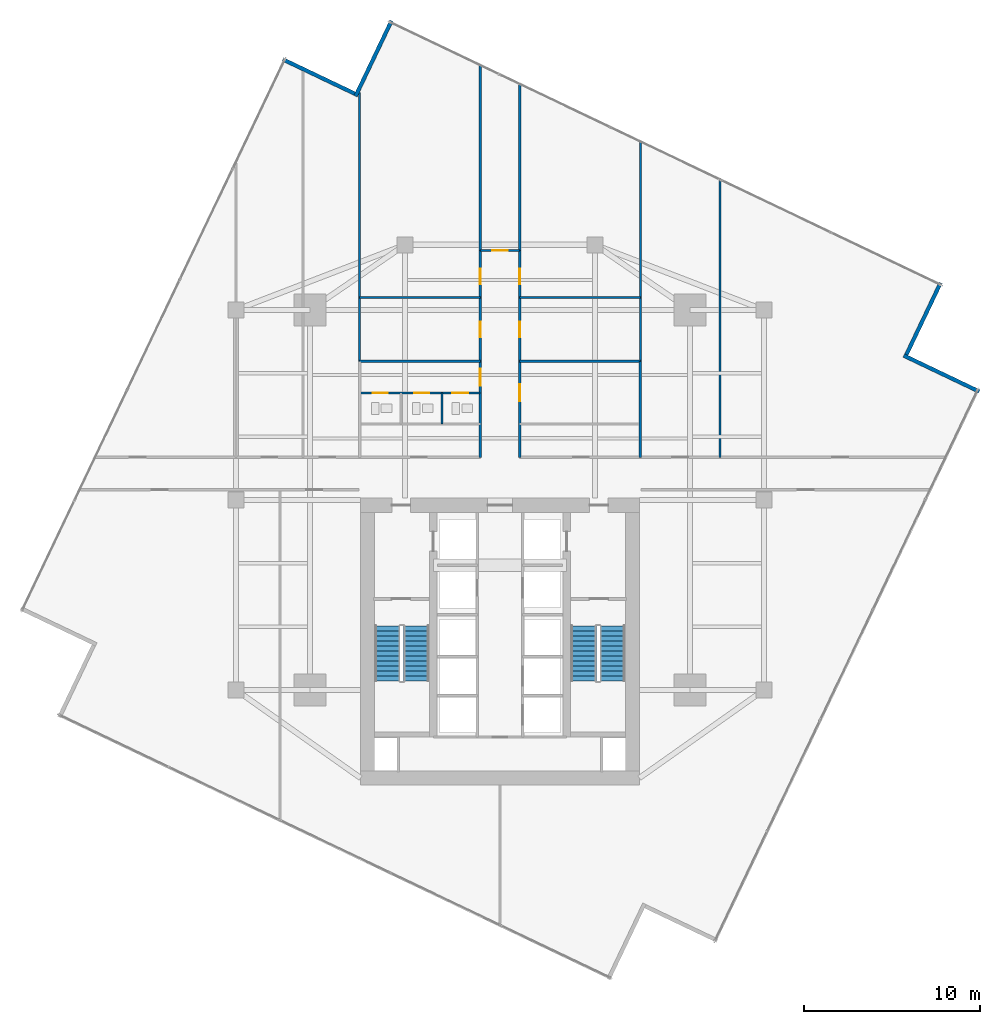
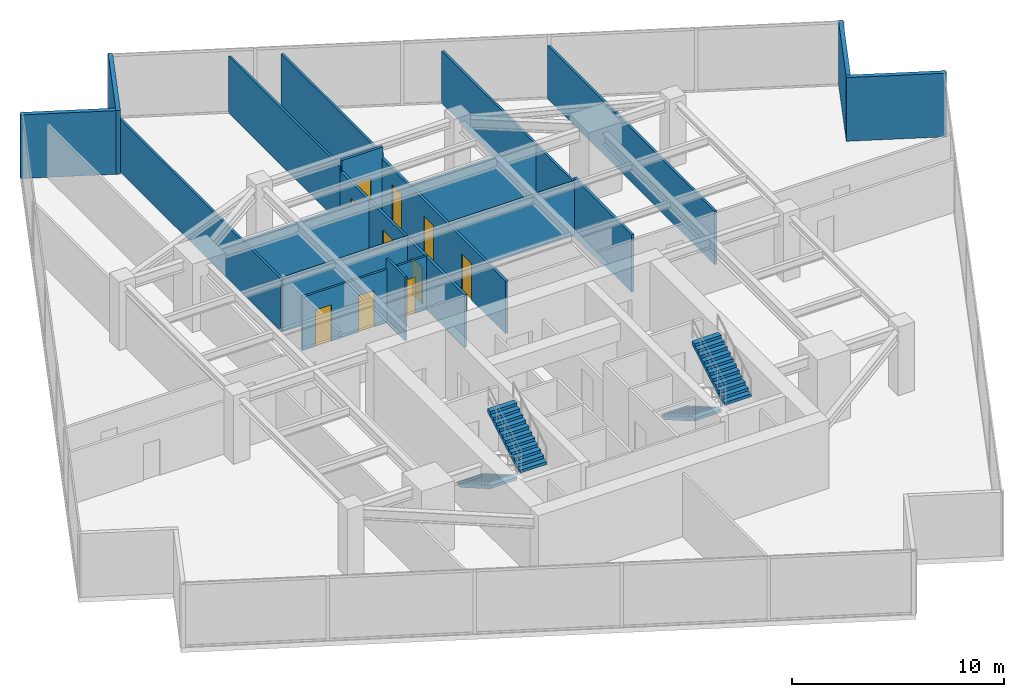
# One storey, part 23 of 25: 19 walls, 10 doors, 4 stair flights, 10 openings, 2 elements without a shape of their own.
"""IFC4 building model written with IfcOpenShell, lengths in metres."""

import ifcopenshell
import ifcopenshell.guid

model = None  # the IFC model being written
_history = None  # IfcOwnerHistory: only IFC2X3 demands one
_inside = {}  # id of a spatial element -> (the spatial element, [elements in it])
_under = {}  # id of a project, library or spatial element -> (it, [spatial elements below it])
_declared = {}  # id of a project -> (the project, [libraries it declares])
_typed = {}  # id of a type object -> (the type object, [elements of that type])
_made_of = {}  # id of a material, layer set ... -> (it, [elements and type objects made of it])


def new_model(schema):
    """Start an empty IFC model of exactly this schema.

    Asked for "IFC4X3", IfcOpenShell would pick the latest addendum, in which some entities
    have other attributes; the version numbers below select the first issue.
    IFC2X3 requires an IfcOwnerHistory on every rooted entity: one is made here for all.
    """
    global model, _history
    if schema == "IFC4X3":
        model = ifcopenshell.file(schema_version=(4, 3, 0, 0))
    else:
        model = ifcopenshell.file(schema=schema)
    _inside.clear()
    _under.clear()
    _declared.clear()
    _typed.clear()
    _made_of.clear()
    _history = None
    if model.schema == "IFC2X3":
        org = make("IfcOrganization", Name="unknown")
        user = make(
            "IfcPersonAndOrganization",
            ThePerson=make("IfcPerson", FamilyName="unknown"),
            TheOrganization=org,
        )
        app = make(
            "IfcApplication",
            ApplicationDeveloper=org,
            Version="unknown",
            ApplicationFullName="unknown",
            ApplicationIdentifier="unknown",
        )
        _history = make(
            "IfcOwnerHistory",
            OwningUser=user,
            OwningApplication=app,
            ChangeAction="ADDED",
            CreationDate=0,
        )
    return model


def make(cls, **values):
    """One entity of the class cls with the attributes given. An attribute that is None is left unset."""
    return model.create_entity(
        cls, **{name: value for name, value in values.items() if value is not None}
    )


def rooted(cls, **values):
    """An entity with a GlobalId (a new one), such as an element, a storey or a relation."""
    return make(cls, GlobalId=ifcopenshell.guid.new(), OwnerHistory=_history, **values)


def si_unit(unit_type, name, prefix=None):
    """IfcSIUnit, for example si_unit("LENGTHUNIT", "METRE", prefix="MILLI")."""
    return make("IfcSIUnit", UnitType=unit_type, Prefix=prefix, Name=name)


def assignment(units):
    """IfcUnitAssignment: the units of a project."""
    return None if units is None else make("IfcUnitAssignment", Units=units)


def point(xyz):
    """IfcCartesianPoint."""
    return None if xyz is None else make("IfcCartesianPoint", Coordinates=xyz)


def direction(xyz):
    """IfcDirection."""
    return None if xyz is None else make("IfcDirection", DirectionRatios=xyz)


def frame(location, z_axis=None, x_axis=None):
    """IfcAxis2Placement3D, a coordinate frame: its origin and axes. An axis left out is left unset."""
    return make(
        "IfcAxis2Placement3D",
        Location=point(location),
        Axis=direction(z_axis),
        RefDirection=direction(x_axis),
    )


def frame_2d(location, x_axis=None):
    """IfcAxis2Placement2D, a coordinate frame in the plane: its origin and x axis."""
    return make(
        "IfcAxis2Placement2D", Location=point(location), RefDirection=direction(x_axis)
    )


def origin():
    """The frame at (0, 0, 0) with its axes left unset."""
    return frame((0.0, 0.0, 0.0))


def place(relative_to, where):
    """IfcLocalPlacement: puts the frame where relative to a parent placement (None: the world)."""
    return make(
        "IfcLocalPlacement", PlacementRelTo=relative_to, RelativePlacement=where
    )


def context(
    kind, dimensions, precision=None, world=None, true_north=None, identifier=None
):
    """IfcGeometricRepresentationContext, for example the 3D "Model" context."""
    return make(
        "IfcGeometricRepresentationContext",
        ContextIdentifier=identifier,
        ContextType=kind,
        CoordinateSpaceDimension=dimensions,
        Precision=precision,
        WorldCoordinateSystem=world,
        TrueNorth=true_north,
    )


def subcontext(parent, identifier, kind, view, scale=None):
    """IfcGeometricRepresentationSubContext, for example "Body" below "Model"."""
    return make(
        "IfcGeometricRepresentationSubContext",
        ContextIdentifier=identifier,
        ContextType=kind,
        ParentContext=parent,
        TargetScale=scale,
        TargetView=view,
    )


def project(units=None, contexts=None):
    """IfcProject with its units and contexts."""
    return rooted(
        "IfcProject",
        Name="project",
        RepresentationContexts=contexts,
        UnitsInContext=assignment(units),
    )


def spatial(cls, under=None, at=None, **own):
    """A site, building, storey or space (cls), placed at a placement, below another one or the project."""
    s = rooted(cls, ObjectPlacement=at, **own)
    if under is not None:
        _under.setdefault(under.id(), (under, []))[1].append(s)
    return s


def polyline(points):
    """IfcPolyline through the points."""
    return make("IfcPolyline", Points=[point(p) for p in points])


def profile(cls, at=None, kind="AREA", **sizes):
    """A parametric profile (cls). Its sizes go by their IFC names, for example OverallWidth=200.0."""
    return make(cls, ProfileType=kind, Position=at, **sizes)


def rectangle(**sizes):
    """IfcRectangleProfileDef."""
    return profile("IfcRectangleProfileDef", **sizes)


def outline(outer, holes=None, kind="AREA"):
    """IfcArbitraryClosedProfileDef: a profile drawn as a closed curve; with holes, ...WithVoids."""
    if holes is None:
        return make("IfcArbitraryClosedProfileDef", ProfileType=kind, OuterCurve=outer)
    return make(
        "IfcArbitraryProfileDefWithVoids",
        ProfileType=kind,
        OuterCurve=outer,
        InnerCurves=holes,
    )


def extrude(swept, where, along, depth):
    """IfcExtrudedAreaSolid: the profile swept, set in the frame where, extruded along a direction by depth."""
    return make(
        "IfcExtrudedAreaSolid",
        SweptArea=swept,
        Position=where,
        ExtrudedDirection=direction(along),
        Depth=depth,
    )


def shape(context_of_items, identifier, shape_type, items):
    """IfcShapeRepresentation: the items that make up one representation, for example the "Body"."""
    return make(
        "IfcShapeRepresentation",
        ContextOfItems=context_of_items,
        RepresentationIdentifier=identifier,
        RepresentationType=shape_type,
        Items=items,
    )


def material(Name=None, Category=None):
    """IfcMaterial."""
    return make("IfcMaterial", Name=Name, Category=Category)


def layer(
    of_material, thickness, ventilated=None, Name=None, Category=None, Priority=None
):
    """IfcMaterialLayer: one layer of a wall or slab, of a material (None: an air gap)."""
    return make(
        "IfcMaterialLayer",
        Material=of_material,
        LayerThickness=thickness,
        IsVentilated=ventilated,
        Name=Name,
        Category=Category,
        Priority=Priority,
    )


def layer_set(layers, Name=None):
    """IfcMaterialLayerSet."""
    return make("IfcMaterialLayerSet", MaterialLayers=layers, LayerSetName=Name)


def made_of(thing, what):
    """Note that an element or type object is made of a material, layer set ...; save() writes the relation."""
    if what is not None:
        _made_of.setdefault(what.id(), (what, []))[1].append(thing)
    return thing


def type_object(cls, material=None, **own):
    """A type object (cls), such as IfcWallType, which elements share."""
    return made_of(rooted(cls, **own), material)


def element(
    cls,
    number,
    at=None,
    inside=None,
    cuts=None,
    type_object=None,
    material=None,
    context=None,
    identifier="Body",
    shape_type=None,
    held_by="IfcProductDefinitionShape",
    body=None,
    shapes=None,
    **own,
):
    """One element of the class cls, such as IfcWall. Its Tag is "e" and its number.

    at: its placement. inside: the storey or other place that contains it. cuts: it is an
    opening in that element (IfcRelVoidsElement). A single representation is given by context,
    identifier, shape_type and body (its items); several are given by shapes. held_by: the class
    of the entity that holds the representations. save() writes the other relations.
    """
    e = rooted(cls, Tag="e%d" % number, ObjectPlacement=at, **own)
    if body is not None:
        shapes = [shape(context, identifier, shape_type, body)]
    if shapes is not None:
        e.Representation = make(held_by, Representations=shapes)
    if inside is not None:
        _inside.setdefault(inside.id(), (inside, []))[1].append(e)
    if cuts is not None:
        rooted(
            "IfcRelVoidsElement", RelatingBuildingElement=cuts, RelatedOpeningElement=e
        )
    if type_object is not None:
        _typed.setdefault(type_object.id(), (type_object, []))[1].append(e)
    return made_of(e, material)


def fill(opening, filler):
    """IfcRelFillsElement: the door or window that sits in an opening."""
    return rooted(
        "IfcRelFillsElement",
        RelatingOpeningElement=opening,
        RelatedBuildingElement=filler,
    )


def aggregate(whole, parts):
    """IfcRelAggregates: a whole, such as a stair, and the parts it consists of."""
    return rooted("IfcRelAggregates", RelatingObject=whole, RelatedObjects=parts)


def save(model, path):
    """Write the relations noted so far, then the file.

    IfcRelAggregates (storeys below a building ...), IfcRelContainedInSpatialStructure (elements
    in a storey), IfcRelDefinesByType, IfcRelAssociatesMaterial and IfcRelDeclares: one each for
    every whole, place, type object, material and project.
    """
    for whole, parts in _under.values():
        aggregate(whole, parts)
    for where, things in _inside.values():
        rooted(
            "IfcRelContainedInSpatialStructure",
            RelatedElements=things,
            RelatingStructure=where,
        )
    for kind, things in _typed.values():
        rooted("IfcRelDefinesByType", RelatedObjects=things, RelatingType=kind)
    for what, things in _made_of.values():
        rooted("IfcRelAssociatesMaterial", RelatedObjects=things, RelatingMaterial=what)
    for by, libraries in _declared.values():
        rooted("IfcRelDeclares", RelatingContext=by, RelatedDefinitions=libraries)
    model.write(path)


model = new_model("IFC4")

# Units and contexts
model_context = context("Model", 3, precision=1e-05, world=origin(), true_north=direction((0.0, 1.0)))
body_context = subcontext(model_context, "Body", "Model", "MODEL_VIEW")
ifc_project = project(units=[si_unit("LENGTHUNIT", "METRE"), si_unit("AREAUNIT", "SQUARE_METRE"), si_unit("VOLUMEUNIT", "CUBIC_METRE"), si_unit("PLANEANGLEUNIT", "RADIAN"), si_unit("MASSUNIT", "GRAM", prefix="KILO")], contexts=[model_context])

# Site, building, storey
site_placement = place(None, origin())
site = spatial("IfcSite", under=ifc_project, at=site_placement, CompositionType="ELEMENT")
building_placement = place(site_placement, origin())
building = spatial("IfcBuilding", under=site, at=building_placement, Name="Krantzveldt Concourse Tower", CompositionType="ELEMENT")
storey_placement = place(building_placement, frame((0.0, 0.0, 146.199951171875)))
storey = spatial("IfcBuildingStorey", under=building, at=storey_placement, Name="L35", CompositionType="ELEMENT", Elevation=146.199951171875)

# Walls
ifc_material_1 = material(Name="Anodised aluminium 6063-T6", Category="aluminium")
ifc_layer_1 = layer(ifc_material_1, 0.219970703125, Name="Anodised aluminium 6063-T6", Category="aluminium")
ifc_layer_set_1 = layer_set([ifc_layer_1], Name="Anodised aluminium 6063-T6 (WL-EXT-NOTCH220)")
wall_type_1 = type_object("IfcWallType", Name="WL-EXT-NOTCH220", PredefinedType="ELEMENTEDWALL", material=ifc_layer_set_1)
wall_1_placement = place(storey_placement, frame((27.738525390625, 49.796630859375, 0.0), z_axis=(0.0, 0.0, 1.0), x_axis=(-0.902592070314, 0.43049686945, 0.0)))
element("IfcWall", 1, at=wall_1_placement, inside=storey, type_object=wall_type_1, Name="EW-L35-NCH00", PredefinedType="ELEMENTEDWALL", context=body_context, shape_type="SweptSolid", body=[
    extrude(rectangle(XDim=4.52490234375, YDim=0.219970703125, at=frame_2d((2.262451171875, 0.0))), origin(), (0.0, 0.0, 1.0), 3.670166015625),
])
wall_2_placement = place(storey_placement, frame((63.232666015625, 32.86669921875, 0.0), z_axis=(0.0, 0.0, 1.0), x_axis=(-0.902587379521, 0.430506704164, 0.0)))
element("IfcWall", 2, at=wall_2_placement, inside=storey, type_object=wall_type_1, Name="EW-L35-NCH08", PredefinedType="ELEMENTEDWALL", context=body_context, shape_type="SweptSolid", body=[
    extrude(rectangle(XDim=4.744873046875, YDim=0.219970703125, at=frame_2d((2.37255859375, 0.0))), origin(), (0.0, 0.0, 1.0), 3.670166015625),
])
wall_3_placement = place(storey_placement, frame((59.0966796875, 34.96142578125, 0.0), z_axis=(0.0, 0.0, 1.0), x_axis=(0.43049686945, 0.902592070314, 0.0)))
element("IfcWall", 3, at=wall_3_placement, inside=storey, type_object=wall_type_1, Name="EW-L35-NCH09", PredefinedType="ELEMENTEDWALL", context=body_context, shape_type="SweptSolid", body=[
    extrude(rectangle(XDim=4.52490234375, YDim=0.219970703125, at=frame_2d((2.262451171875, 0.0))), origin(), (0.0, 0.0, 1.0), 3.670166015625),
])
wall_4_placement = place(storey_placement, frame((29.833251953125, 53.9326171875, 0.0), z_axis=(0.0, 0.0, 1.0), x_axis=(-0.430506704164, -0.902587379521, 0.0)))
element("IfcWall", 4, at=wall_4_placement, inside=storey, type_object=wall_type_1, Name="EW-L35-NCH11", PredefinedType="ELEMENTEDWALL", context=body_context, shape_type="SweptSolid", body=[
    extrude(rectangle(XDim=4.744873046875, YDim=0.219970703125, at=frame_2d((2.37255859375, 0.0))), origin(), (0.0, 0.0, 1.0), 3.670166015625),
])

# Wall, openings, doors
ifc_material_2 = material(Name="Fire-rated gypsum plasterboard on steel stud", Category="steel")
ifc_layer_2 = layer(ifc_material_2, 0.1201171875, Name="Fire-rated gypsum plasterboard on steel stud", Category="steel")
ifc_layer_set_2 = layer_set([ifc_layer_2], Name="Fire-rated gypsum plasterboard on steel stud (WL-PART-120)")
wall_type_2 = type_object("IfcWallType", Name="WL-PART-120", PredefinedType="PARTITIONING", material=ifc_layer_set_2)
wall_5_placement = place(storey_placement, frame((28.050048828125, 32.780029296875, 0.0), z_axis=(0.0, 0.0, 1.0), x_axis=(1.0, 0.0, 0.0)))
wall_5 = element("IfcWall", 5, at=wall_5_placement, inside=storey, type_object=wall_type_2, Name="WP-L35-WCHDR", PredefinedType="PARTITIONING", context=body_context, shape_type="SweptSolid", body=[
    extrude(rectangle(XDim=6.800048828125, YDim=0.1201171875, at=frame_2d((3.39990234375, 0.0))), origin(), (0.0, 0.0, 1.0), 3.080078125),
])
opening_1_placement = place(wall_5_placement, frame((0.72509765625, 0.0, 0.0)))
opening_1 = element("IfcOpeningElement", 6, at=opening_1_placement, cuts=wall_5, Name="Opening D-IN085", PredefinedType="OPENING", context=body_context, shape_type="SweptSolid", body=[
    extrude(rectangle(XDim=0.85009765625, YDim=2.10009765625, at=frame_2d((0.425048828125, 1.050048828125))), frame((0.0, 0.070068359375, 0.0), z_axis=(0.0, -1.0, 0.0), x_axis=(1.0, 0.0, 0.0)), (0.0, 0.0, 1.0), 0.14013671875),
])
opening_2_placement = place(wall_5_placement, frame((3.06494140625, 0.0, 0.0)))
opening_2 = element("IfcOpeningElement", 7, at=opening_2_placement, cuts=wall_5, Name="Opening D-IN085", PredefinedType="OPENING", context=body_context, shape_type="SweptSolid", body=[
    extrude(rectangle(XDim=0.85009765625, YDim=2.10009765625, at=frame_2d((0.425048828125, 1.050048828125))), frame((0.0, 0.070068359375, 0.0), z_axis=(0.0, -1.0, 0.0), x_axis=(1.0, 0.0, 0.0)), (0.0, 0.0, 1.0), 0.14013671875),
])
opening_3_placement = place(wall_5_placement, frame((5.25, 0.0, 0.0)))
opening_3 = element("IfcOpeningElement", 8, at=opening_3_placement, cuts=wall_5, Name="Opening D-IN090", PredefinedType="OPENING", context=body_context, shape_type="SweptSolid", body=[
    extrude(rectangle(XDim=0.89990234375, YDim=2.10009765625, at=frame_2d((0.449951171875, 1.050048828125))), frame((0.0, 0.070068359375, 0.0), z_axis=(0.0, -1.0, 0.0), x_axis=(1.0, 0.0, 0.0)), (0.0, 0.0, 1.0), 0.14013671875),
])
ifc_material_3 = material(Name="Hardwood timber", Category="wood")
door_type_1 = type_object("IfcDoorType", Name="DR-INT-850", OperationType="SINGLE_SWING_LEFT", PredefinedType="DOOR", material=ifc_material_3)
door_1_placement = place(opening_1_placement, origin())
door_1 = element("IfcDoor", 9, at=door_1_placement, inside=storey, type_object=door_type_1, Name="DR-L35-WCM", OperationType="SINGLE_SWING_LEFT", OverallHeight=2.10009765625, OverallWidth=0.85009765625, PredefinedType="DOOR", context=body_context, shape_type="SweptSolid", body=[
    extrude(rectangle(XDim=0.85009765625, YDim=2.10009765625, at=frame_2d((0.425048828125, 1.050048828125))), frame((0.0, 0.02490234375, 0.0), z_axis=(0.0, -1.0, 0.0), x_axis=(1.0, 0.0, 0.0)), (0.0, 0.0, 1.0), 0.050048828125),
])
fill(opening_1, door_1)
door_2_placement = place(opening_2_placement, origin())
door_2 = element("IfcDoor", 10, at=door_2_placement, inside=storey, type_object=door_type_1, Name="DR-L35-WCF", OperationType="SINGLE_SWING_RIGHT", OverallHeight=2.10009765625, OverallWidth=0.85009765625, PredefinedType="DOOR", context=body_context, shape_type="SweptSolid", body=[
    extrude(rectangle(XDim=0.85009765625, YDim=2.10009765625, at=frame_2d((0.425048828125, 1.050048828125))), frame((0.0, 0.02490234375, 0.0), z_axis=(0.0, -1.0, 0.0), x_axis=(1.0, 0.0, 0.0)), (0.0, 0.0, 1.0), 0.050048828125),
])
fill(opening_2, door_2)
door_type_2 = type_object("IfcDoorType", Name="DR-INT-900", OperationType="SINGLE_SWING_LEFT", PredefinedType="DOOR", material=ifc_material_3)
door_3_placement = place(opening_3_placement, origin())
door_3 = element("IfcDoor", 11, at=door_3_placement, inside=storey, type_object=door_type_2, Name="DR-L35-WCA", OperationType="SINGLE_SWING_LEFT", OverallHeight=2.10009765625, OverallWidth=0.89990234375, PredefinedType="DOOR", context=body_context, shape_type="SweptSolid", body=[
    extrude(rectangle(XDim=0.89990234375, YDim=2.10009765625, at=frame_2d((0.449951171875, 1.050048828125))), frame((0.0, 0.02490234375, 0.0), z_axis=(0.0, -1.0, 0.0), x_axis=(1.0, 0.0, 0.0)), (0.0, 0.0, 1.0), 0.050048828125),
])
fill(opening_3, door_3)

# Walls
wall_6_placement = place(storey_placement, frame((32.7099609375, 31.02001953125, 0.0), z_axis=(0.0, 0.0, 1.0), x_axis=(0.0, 1.0, 0.0)))
element("IfcWall", 12, at=wall_6_placement, inside=storey, type_object=wall_type_2, Name="WP-L35-WCD2", PredefinedType="PARTITIONING", context=body_context, shape_type="SweptSolid", body=[
    extrude(rectangle(XDim=1.760009765625, YDim=0.1201171875, at=frame_2d((0.8798828125, 0.0))), origin(), (0.0, 0.0, 1.0), 3.670166015625),
])
wall_7_placement = place(storey_placement, frame((34.8798828125, 40.8798828125, 0.0), z_axis=(0.0, 0.0, 1.0), x_axis=(0.0, 1.0, 0.0)))
element("IfcWall", 13, at=wall_7_placement, inside=storey, type_object=wall_type_2, Name="WP-L35-NTL", PredefinedType="PARTITIONING", context=body_context, shape_type="SweptSolid", body=[
    extrude(rectangle(XDim=10.518310546875, YDim=0.1201171875, at=frame_2d((5.25927734375, 0.0))), origin(), (0.0, 0.0, 1.0), 3.280029296875),
])
wall_8_placement = place(storey_placement, frame((37.1201171875, 40.8798828125, 0.0), z_axis=(0.0, 0.0, 1.0), x_axis=(0.0, 1.0, 0.0)))
element("IfcWall", 14, at=wall_8_placement, inside=storey, type_object=wall_type_2, Name="WP-L35-NTR", PredefinedType="PARTITIONING", context=body_context, shape_type="SweptSolid", body=[
    extrude(rectangle(XDim=9.44970703125, YDim=0.1201171875, at=frame_2d((4.724853515625, 0.0))), origin(), (0.0, 0.0, 1.0), 3.280029296875),
])
wall_9_placement = place(storey_placement, frame((28.02001953125, 34.580078125, 0.0), z_axis=(0.0, 0.0, 1.0), x_axis=(0.0, 1.0, 0.0)))
element("IfcWall", 15, at=wall_9_placement, inside=storey, type_object=wall_type_2, Name="WP-L35-ISWL2", PredefinedType="PARTITIONING", context=body_context, shape_type="SweptSolid", body=[
    extrude(rectangle(XDim=15.283935546875, YDim=0.1201171875, at=frame_2d((7.64208984375, 0.0))), origin(), (0.0, 0.0, 1.0), 3.030029296875),
])
wall_10_placement = place(storey_placement, frame((43.97998046875, 34.580078125, 0.0), z_axis=(0.0, 0.0, 1.0), x_axis=(0.0, 1.0, 0.0)))
element("IfcWall", 16, at=wall_10_placement, inside=storey, type_object=wall_type_2, Name="WP-L35-ISER2", PredefinedType="PARTITIONING", context=body_context, shape_type="SweptSolid", body=[
    extrude(rectangle(XDim=12.4775390625, YDim=0.1201171875, at=frame_2d((6.23876953125, 0.0))), origin(), (0.0, 0.0, 1.0), 3.030029296875),
])
for number, where, z_axis, x_axis, name in (
    (17, (28.02001953125, 38.199951171875, 0.0), (0.0, 0.0, 1.0), (1.0, 0.0, 0.0), "WP-L35-NWIY"),
    (18, (37.1201171875, 38.199951171875, 0.0), (0.0, 0.0, 1.0), (1.0, 0.0, 0.0), "WP-L35-NEIY"),
):
    element("IfcWall", number, at=place(storey_placement, frame(where, z_axis=z_axis, x_axis=x_axis)), inside=storey, type_object=wall_type_2, Name=name, PredefinedType="PARTITIONING", context=body_context, shape_type="SweptSolid", body=[
        extrude(rectangle(XDim=6.85986328125, YDim=0.1201171875, at=frame_2d((3.429931640625, 0.0))), origin(), (0.0, 0.0, 1.0), 3.080078125),
    ])
wall_11_placement = place(storey_placement, frame((48.5, 29.1201171875, 0.0), z_axis=(0.0, 0.0, 1.0), x_axis=(0.0, 1.0, 0.0)))
element("IfcWall", 19, at=wall_11_placement, inside=storey, type_object=wall_type_2, Name="WP-L35-NEX1", PredefinedType="PARTITIONING", context=body_context, shape_type="SweptSolid", body=[
    extrude(rectangle(XDim=15.781494140625, YDim=0.1201171875, at=frame_2d((7.890625, 0.0))), origin(), (0.0, 0.0, 1.0), 3.080078125),
])

# Wall, openings, doors
ifc_layer_3 = layer(ifc_material_2, 0.139892578125, Name="Fire-rated gypsum plasterboard on steel stud", Category="steel")
ifc_layer_set_3 = layer_set([ifc_layer_3], Name="Fire-rated gypsum plasterboard on steel stud (WL-PART-140)")
wall_type_3 = type_object("IfcWallType", Name="WL-PART-140", PredefinedType="PARTITIONING", material=ifc_layer_set_3)
wall_12_placement = place(storey_placement, frame((34.8798828125, 29.1201171875, 0.0), z_axis=(0.0, 0.0, 1.0), x_axis=(0.0, 1.0, 0.0)))
wall_12 = element("IfcWall", 20, at=wall_12_placement, inside=storey, type_object=wall_type_3, Name="WP-L35-SPWL", PredefinedType="PARTITIONING", context=body_context, shape_type="SweptSolid", body=[
    extrude(rectangle(XDim=11.759765625, YDim=0.139892578125, at=frame_2d((5.8798828125, 0.0))), origin(), (0.0, 0.0, 1.0), 3.030029296875),
])
opening_4_placement = place(wall_12_placement, frame((4.0849609375, 0.0, 0.0)))
opening_4 = element("IfcOpeningElement", 21, at=opening_4_placement, cuts=wall_12, Name="Opening D-IN095", PredefinedType="OPENING", context=body_context, shape_type="SweptSolid", body=[
    extrude(rectangle(XDim=0.949951171875, YDim=2.10009765625, at=frame_2d((0.47509765625, 1.050048828125))), frame((0.0, 0.080078125, 0.0), z_axis=(0.0, -1.0, 0.0), x_axis=(1.0, 0.0, 0.0)), (0.0, 0.0, 1.0), 0.159912109375),
])
opening_5_placement = place(wall_12_placement, frame((6.820068359375, 0.0, 0.0)))
opening_5 = element("IfcOpeningElement", 22, at=opening_5_placement, cuts=wall_12, Name="Opening D-IN090", PredefinedType="OPENING", context=body_context, shape_type="SweptSolid", body=[
    extrude(rectangle(XDim=0.89990234375, YDim=2.10009765625, at=frame_2d((0.449951171875, 1.050048828125))), frame((0.0, 0.080078125, 0.0), z_axis=(0.0, -1.0, 0.0), x_axis=(1.0, 0.0, 0.0)), (0.0, 0.0, 1.0), 0.159912109375),
])
opening_6_placement = place(wall_12_placement, frame((9.830078125, 0.0, 0.0)))
opening_6 = element("IfcOpeningElement", 23, at=opening_6_placement, cuts=wall_12, Name="Opening D-IN090", PredefinedType="OPENING", context=body_context, shape_type="SweptSolid", body=[
    extrude(rectangle(XDim=0.89990234375, YDim=2.10009765625, at=frame_2d((0.449951171875, 1.050048828125))), frame((0.0, 0.080078125, 0.0), z_axis=(0.0, -1.0, 0.0), x_axis=(1.0, 0.0, 0.0)), (0.0, 0.0, 1.0), 0.159912109375),
])
door_4_placement = place(opening_5_placement, origin())
door_4 = element("IfcDoor", 24, at=door_4_placement, inside=storey, type_object=door_type_2, Name="DR-L35-NWI1", OperationType="SINGLE_SWING_LEFT", OverallHeight=2.10009765625, OverallWidth=0.89990234375, PredefinedType="DOOR", context=body_context, shape_type="SweptSolid", body=[
    extrude(rectangle(XDim=0.89990234375, YDim=2.10009765625, at=frame_2d((0.449951171875, 1.050048828125))), frame((0.0, 0.02490234375, 0.0), z_axis=(0.0, -1.0, 0.0), x_axis=(1.0, 0.0, 0.0)), (0.0, 0.0, 1.0), 0.050048828125),
])
fill(opening_5, door_4)
door_5_placement = place(opening_6_placement, origin())
door_5 = element("IfcDoor", 25, at=door_5_placement, inside=storey, type_object=door_type_2, Name="DR-L35-NWI2", OperationType="SINGLE_SWING_LEFT", OverallHeight=2.10009765625, OverallWidth=0.89990234375, PredefinedType="DOOR", context=body_context, shape_type="SweptSolid", body=[
    extrude(rectangle(XDim=0.89990234375, YDim=2.10009765625, at=frame_2d((0.449951171875, 1.050048828125))), frame((0.0, 0.02490234375, 0.0), z_axis=(0.0, -1.0, 0.0), x_axis=(1.0, 0.0, 0.0)), (0.0, 0.0, 1.0), 0.050048828125),
])
fill(opening_6, door_5)
door_type_3 = type_object("IfcDoorType", Name="DR-INT-950", OperationType="SINGLE_SWING_LEFT", PredefinedType="DOOR", material=ifc_material_3)
door_6_placement = place(opening_4_placement, origin())
door_6 = element("IfcDoor", 26, at=door_6_placement, inside=storey, type_object=door_type_3, Name="DR-L35-WCLB", OperationType="SINGLE_SWING_LEFT", OverallHeight=2.10009765625, OverallWidth=0.949951171875, PredefinedType="DOOR", context=body_context, shape_type="SweptSolid", body=[
    extrude(rectangle(XDim=0.949951171875, YDim=2.10009765625, at=frame_2d((0.47509765625, 1.050048828125))), frame((0.0, 0.02490234375, 0.0), z_axis=(0.0, -1.0, 0.0), x_axis=(1.0, 0.0, 0.0)), (0.0, 0.0, 1.0), 0.050048828125),
])
fill(opening_4, door_6)

wall_13_placement = place(storey_placement, frame((37.1201171875, 29.1201171875, 0.0), z_axis=(0.0, 0.0, 1.0), x_axis=(0.0, 1.0, 0.0)))
wall_13 = element("IfcWall", 27, at=wall_13_placement, inside=storey, type_object=wall_type_3, Name="WP-L35-SPER", PredefinedType="PARTITIONING", context=body_context, shape_type="SweptSolid", body=[
    extrude(rectangle(XDim=11.759765625, YDim=0.139892578125, at=frame_2d((5.8798828125, 0.0))), origin(), (0.0, 0.0, 1.0), 3.030029296875),
])
opening_7_placement = place(wall_13_placement, frame((3.205078125, 0.0, 0.0)))
opening_7 = element("IfcOpeningElement", 28, at=opening_7_placement, cuts=wall_13, Name="Opening D-IN095", PredefinedType="OPENING", context=body_context, shape_type="SweptSolid", body=[
    extrude(rectangle(XDim=0.949951171875, YDim=2.10009765625, at=frame_2d((0.47509765625, 1.050048828125))), frame((0.0, 0.080078125, 0.0), z_axis=(0.0, -1.0, 0.0), x_axis=(1.0, 0.0, 0.0)), (0.0, 0.0, 1.0), 0.159912109375),
])
opening_8_placement = place(wall_13_placement, frame((6.820068359375, 0.0, 0.0)))
opening_8 = element("IfcOpeningElement", 29, at=opening_8_placement, cuts=wall_13, Name="Opening D-IN090", PredefinedType="OPENING", context=body_context, shape_type="SweptSolid", body=[
    extrude(rectangle(XDim=0.89990234375, YDim=2.10009765625, at=frame_2d((0.449951171875, 1.050048828125))), frame((0.0, 0.080078125, 0.0), z_axis=(0.0, -1.0, 0.0), x_axis=(1.0, 0.0, 0.0)), (0.0, 0.0, 1.0), 0.159912109375),
])
opening_9_placement = place(wall_13_placement, frame((9.830078125, 0.0, 0.0)))
opening_9 = element("IfcOpeningElement", 30, at=opening_9_placement, cuts=wall_13, Name="Opening D-IN090", PredefinedType="OPENING", context=body_context, shape_type="SweptSolid", body=[
    extrude(rectangle(XDim=0.89990234375, YDim=2.10009765625, at=frame_2d((0.449951171875, 1.050048828125))), frame((0.0, 0.080078125, 0.0), z_axis=(0.0, -1.0, 0.0), x_axis=(1.0, 0.0, 0.0)), (0.0, 0.0, 1.0), 0.159912109375),
])
door_7_placement = place(opening_8_placement, origin())
door_7 = element("IfcDoor", 31, at=door_7_placement, inside=storey, type_object=door_type_2, Name="DR-L35-NEI1", OperationType="SINGLE_SWING_LEFT", OverallHeight=2.10009765625, OverallWidth=0.89990234375, PredefinedType="DOOR", context=body_context, shape_type="SweptSolid", body=[
    extrude(rectangle(XDim=0.89990234375, YDim=2.10009765625, at=frame_2d((0.449951171875, 1.050048828125))), frame((0.0, 0.02490234375, 0.0), z_axis=(0.0, -1.0, 0.0), x_axis=(1.0, 0.0, 0.0)), (0.0, 0.0, 1.0), 0.050048828125),
])
fill(opening_8, door_7)
door_8_placement = place(opening_9_placement, origin())
door_8 = element("IfcDoor", 32, at=door_8_placement, inside=storey, type_object=door_type_2, Name="DR-L35-NEI2", OperationType="SINGLE_SWING_LEFT", OverallHeight=2.10009765625, OverallWidth=0.89990234375, PredefinedType="DOOR", context=body_context, shape_type="SweptSolid", body=[
    extrude(rectangle(XDim=0.89990234375, YDim=2.10009765625, at=frame_2d((0.449951171875, 1.050048828125))), frame((0.0, 0.02490234375, 0.0), z_axis=(0.0, -1.0, 0.0), x_axis=(1.0, 0.0, 0.0)), (0.0, 0.0, 1.0), 0.050048828125),
])
fill(opening_9, door_8)
door_9_placement = place(opening_7_placement, origin())
door_9 = element("IfcDoor", 33, at=door_9_placement, inside=storey, type_object=door_type_3, Name="DR-L35-PNT", OperationType="SINGLE_SWING_RIGHT", OverallHeight=2.10009765625, OverallWidth=0.949951171875, PredefinedType="DOOR", context=body_context, shape_type="SweptSolid", body=[
    extrude(rectangle(XDim=0.949951171875, YDim=2.10009765625, at=frame_2d((0.47509765625, 1.050048828125))), frame((0.0, 0.02490234375, 0.0), z_axis=(0.0, -1.0, 0.0), x_axis=(1.0, 0.0, 0.0)), (0.0, 0.0, 1.0), 0.050048828125),
])
fill(opening_7, door_9)

# Wall, opening, door
wall_14_placement = place(storey_placement, frame((34.8798828125, 40.8798828125, 0.0), z_axis=(0.0, 0.0, 1.0), x_axis=(1.0, 0.0, 0.0)))
wall_14 = element("IfcWall", 34, at=wall_14_placement, inside=storey, type_object=wall_type_3, Name="WP-L35-SPTOP", PredefinedType="PARTITIONING", context=body_context, shape_type="SweptSolid", body=[
    extrude(rectangle(XDim=2.240234375, YDim=0.139892578125, at=frame_2d((1.1201171875, 0.0))), origin(), (0.0, 0.0, 1.0), 3.670166015625),
])
opening_10_placement = place(wall_14_placement, frame((0.669921875, 0.0, 0.0)))
opening_10 = element("IfcOpeningElement", 35, at=opening_10_placement, cuts=wall_14, Name="Opening D-IN090", PredefinedType="OPENING", context=body_context, shape_type="SweptSolid", body=[
    extrude(rectangle(XDim=0.89990234375, YDim=2.10009765625, at=frame_2d((0.449951171875, 1.050048828125))), frame((0.0, 0.080078125, 0.0), z_axis=(0.0, -1.0, 0.0), x_axis=(1.0, 0.0, 0.0)), (0.0, 0.0, 1.0), 0.159912109375),
])
door_10_placement = place(opening_10_placement, origin())
door_10 = element("IfcDoor", 36, at=door_10_placement, inside=storey, type_object=door_type_2, Name="DR-L35-NTOP", OperationType="SINGLE_SWING_LEFT", OverallHeight=2.10009765625, OverallWidth=0.89990234375, PredefinedType="DOOR", context=body_context, shape_type="SweptSolid", body=[
    extrude(rectangle(XDim=0.89990234375, YDim=2.10009765625, at=frame_2d((0.449951171875, 1.050048828125))), frame((0.0, 0.02490234375, 0.0), z_axis=(0.0, -1.0, 0.0), x_axis=(1.0, 0.0, 0.0)), (0.0, 0.0, 1.0), 0.050048828125),
])
fill(opening_10, door_10)

# Walls
for number, where, z_axis, x_axis, name in (
    (37, (28.02001953125, 34.580078125, 0.0), (0.0, 0.0, 1.0), (1.0, 0.0, 0.0), "WP-L35-ISNL"),
    (38, (37.1201171875, 34.580078125, 0.0), (0.0, 0.0, 1.0), (1.0, 0.0, 0.0), "WP-L35-ISNR"),
):
    element("IfcWall", number, at=place(storey_placement, frame(where, z_axis=z_axis, x_axis=x_axis)), inside=storey, type_object=wall_type_3, Name=name, PredefinedType="PARTITIONING", context=body_context, shape_type="SweptSolid", body=[
        extrude(rectangle(XDim=6.85986328125, YDim=0.139892578125, at=frame_2d((3.429931640625, 0.0))), origin(), (0.0, 0.0, 1.0), 3.080078125),
    ])
wall_15_placement = place(storey_placement, frame((43.97998046875, 29.1201171875, 0.0), z_axis=(0.0, 0.0, 1.0), x_axis=(0.0, 1.0, 0.0)))
element("IfcWall", 39, at=wall_15_placement, inside=storey, type_object=wall_type_3, Name="WP-L35-ISER", PredefinedType="PARTITIONING", context=body_context, shape_type="SweptSolid", body=[
    extrude(rectangle(XDim=5.4599609375, YDim=0.139892578125, at=frame_2d((2.72998046875, 0.0))), origin(), (0.0, 0.0, 1.0), 3.31005859375),
])

# Stair, stair flights
ifc_material_4 = material(Name="Precast concrete C40/50", Category="concrete")
stair_type = type_object("IfcStairType", Name="STR-CORE-DOGLEG", PredefinedType="HALF_TURN_STAIR", material=ifc_material_4)
stair_1_placement = place(storey_placement, origin())
stair_1 = element("IfcStair", 40, at=stair_1_placement, inside=storey, type_object=stair_type, Name="L35 Protected Escape Stair ST-1", PredefinedType="HALF_TURN_STAIR")
stair_flight_type = type_object("IfcStairFlightType", Name="STF-CORE-1450", PredefinedType="STRAIGHT", material=ifc_material_4)
stair_flight_1_placement = place(storey_placement, frame((29.60498046875, 19.550048828125, 0.0), z_axis=(0.0, 0.0, 1.0), x_axis=(0.0, -1.0, 0.0)))
stair_flight_1 = element("IfcStairFlight", 41, at=stair_flight_1_placement, type_object=stair_flight_type, Name="ST-1 flight 1", NumberOfRisers=12, NumberOfTreads=11, PredefinedType="STRAIGHT", RiserHeight=0.164583333, TreadLength=0.285, context=body_context, shape_type="SweptSolid", body=[
    extrude(outline(polyline([(0.0, 0.0), (0.0, 0.16455078125), (0.284912109375, 0.16455078125), (0.284912109375, 0.3291015625), (0.570068359375, 0.3291015625), (0.570068359375, 0.49365234375), (0.85498046875, 0.49365234375), (0.85498046875, 0.658447265625), (1.139892578125, 0.658447265625), (1.139892578125, 0.822998046875), (1.425048828125, 0.822998046875), (1.425048828125, 0.987548828125), (1.7099609375, 0.987548828125), (1.7099609375, 1.152099609375), (1.9951171875, 1.152099609375), (1.9951171875, 1.316650390625), (2.280029296875, 1.316650390625), (2.280029296875, 1.481201171875), (2.56494140625, 1.481201171875), (2.56494140625, 1.645751953125), (2.85009765625, 1.645751953125), (2.85009765625, 1.810302734375), (3.135009765625, 1.810302734375), (3.135009765625, 1.97509765625), (3.135009765625, 1.63720703125), (0.2998046875, 0.0), (0.0, 0.0)])), frame((0.0, 0.72509765625, 0.0), z_axis=(0.0, -1.0, 0.0), x_axis=(1.0, 0.0, 0.0)), (0.0, 0.0, 1.0), 1.449951171875),
])
stair_flight_2_placement = place(storey_placement, frame((31.2548828125, 16.4150390625, 1.97509765625), z_axis=(0.0, 0.0, 1.0), x_axis=(0.0, 1.0, 0.0)))
stair_flight_2 = element("IfcStairFlight", 42, at=stair_flight_2_placement, type_object=stair_flight_type, Name="ST-1 flight 2", NumberOfRisers=12, NumberOfTreads=11, PredefinedType="STRAIGHT", RiserHeight=0.164583333, TreadLength=0.285, context=body_context, shape_type="SweptSolid", body=[
    extrude(outline(polyline([(0.0, 0.0), (0.0, 0.16455078125), (0.284912109375, 0.16455078125), (0.284912109375, 0.3291015625), (0.570068359375, 0.3291015625), (0.570068359375, 0.49365234375), (0.85498046875, 0.49365234375), (0.85498046875, 0.658447265625), (1.139892578125, 0.658447265625), (1.139892578125, 0.822998046875), (1.425048828125, 0.822998046875), (1.425048828125, 0.987548828125), (1.7099609375, 0.987548828125), (1.7099609375, 1.152099609375), (1.9951171875, 1.152099609375), (1.9951171875, 1.316650390625), (2.280029296875, 1.316650390625), (2.280029296875, 1.481201171875), (2.56494140625, 1.481201171875), (2.56494140625, 1.645751953125), (2.85009765625, 1.645751953125), (2.85009765625, 1.810302734375), (3.135009765625, 1.810302734375), (3.135009765625, 1.97509765625), (3.135009765625, 1.63720703125), (0.2998046875, 0.0), (0.0, 0.0)])), frame((0.0, 0.72509765625, 0.0), z_axis=(0.0, -1.0, 0.0), x_axis=(1.0, 0.0, 0.0)), (0.0, 0.0, 1.0), 1.449951171875),
])
aggregate(stair_1, [stair_flight_1, stair_flight_2])

stair_2_placement = place(storey_placement, origin())
stair_2 = element("IfcStair", 43, at=stair_2_placement, inside=storey, type_object=stair_type, Name="L35 Protected Escape Stair ST-2", PredefinedType="HALF_TURN_STAIR")
stair_flight_3_placement = place(storey_placement, frame((40.7451171875, 19.550048828125, 0.0), z_axis=(0.0, 0.0, 1.0), x_axis=(0.0, -1.0, 0.0)))
stair_flight_3 = element("IfcStairFlight", 44, at=stair_flight_3_placement, type_object=stair_flight_type, Name="ST-2 flight 1", NumberOfRisers=12, NumberOfTreads=11, PredefinedType="STRAIGHT", RiserHeight=0.164583333, TreadLength=0.285, context=body_context, shape_type="SweptSolid", body=[
    extrude(outline(polyline([(0.0, 0.0), (0.0, 0.16455078125), (0.284912109375, 0.16455078125), (0.284912109375, 0.3291015625), (0.570068359375, 0.3291015625), (0.570068359375, 0.49365234375), (0.85498046875, 0.49365234375), (0.85498046875, 0.658447265625), (1.139892578125, 0.658447265625), (1.139892578125, 0.822998046875), (1.425048828125, 0.822998046875), (1.425048828125, 0.987548828125), (1.7099609375, 0.987548828125), (1.7099609375, 1.152099609375), (1.9951171875, 1.152099609375), (1.9951171875, 1.316650390625), (2.280029296875, 1.316650390625), (2.280029296875, 1.481201171875), (2.56494140625, 1.481201171875), (2.56494140625, 1.645751953125), (2.85009765625, 1.645751953125), (2.85009765625, 1.810302734375), (3.135009765625, 1.810302734375), (3.135009765625, 1.97509765625), (3.135009765625, 1.63720703125), (0.2998046875, 0.0), (0.0, 0.0)])), frame((0.0, 0.72509765625, 0.0), z_axis=(0.0, -1.0, 0.0), x_axis=(1.0, 0.0, 0.0)), (0.0, 0.0, 1.0), 1.449951171875),
])
stair_flight_4_placement = place(storey_placement, frame((42.39501953125, 16.4150390625, 1.97509765625), z_axis=(0.0, 0.0, 1.0), x_axis=(0.0, 1.0, 0.0)))
stair_flight_4 = element("IfcStairFlight", 45, at=stair_flight_4_placement, type_object=stair_flight_type, Name="ST-2 flight 2", NumberOfRisers=12, NumberOfTreads=11, PredefinedType="STRAIGHT", RiserHeight=0.164583333, TreadLength=0.285, context=body_context, shape_type="SweptSolid", body=[
    extrude(outline(polyline([(0.0, 0.0), (0.0, 0.16455078125), (0.284912109375, 0.16455078125), (0.284912109375, 0.3291015625), (0.570068359375, 0.3291015625), (0.570068359375, 0.49365234375), (0.85498046875, 0.49365234375), (0.85498046875, 0.658447265625), (1.139892578125, 0.658447265625), (1.139892578125, 0.822998046875), (1.425048828125, 0.822998046875), (1.425048828125, 0.987548828125), (1.7099609375, 0.987548828125), (1.7099609375, 1.152099609375), (1.9951171875, 1.152099609375), (1.9951171875, 1.316650390625), (2.280029296875, 1.316650390625), (2.280029296875, 1.481201171875), (2.56494140625, 1.481201171875), (2.56494140625, 1.645751953125), (2.85009765625, 1.645751953125), (2.85009765625, 1.810302734375), (3.135009765625, 1.810302734375), (3.135009765625, 1.97509765625), (3.135009765625, 1.63720703125), (0.2998046875, 0.0), (0.0, 0.0)])), frame((0.0, 0.72509765625, 0.0), z_axis=(0.0, -1.0, 0.0), x_axis=(1.0, 0.0, 0.0)), (0.0, 0.0, 1.0), 1.449951171875),
])
aggregate(stair_2, [stair_flight_3, stair_flight_4])

save(model, "model.ifc")
